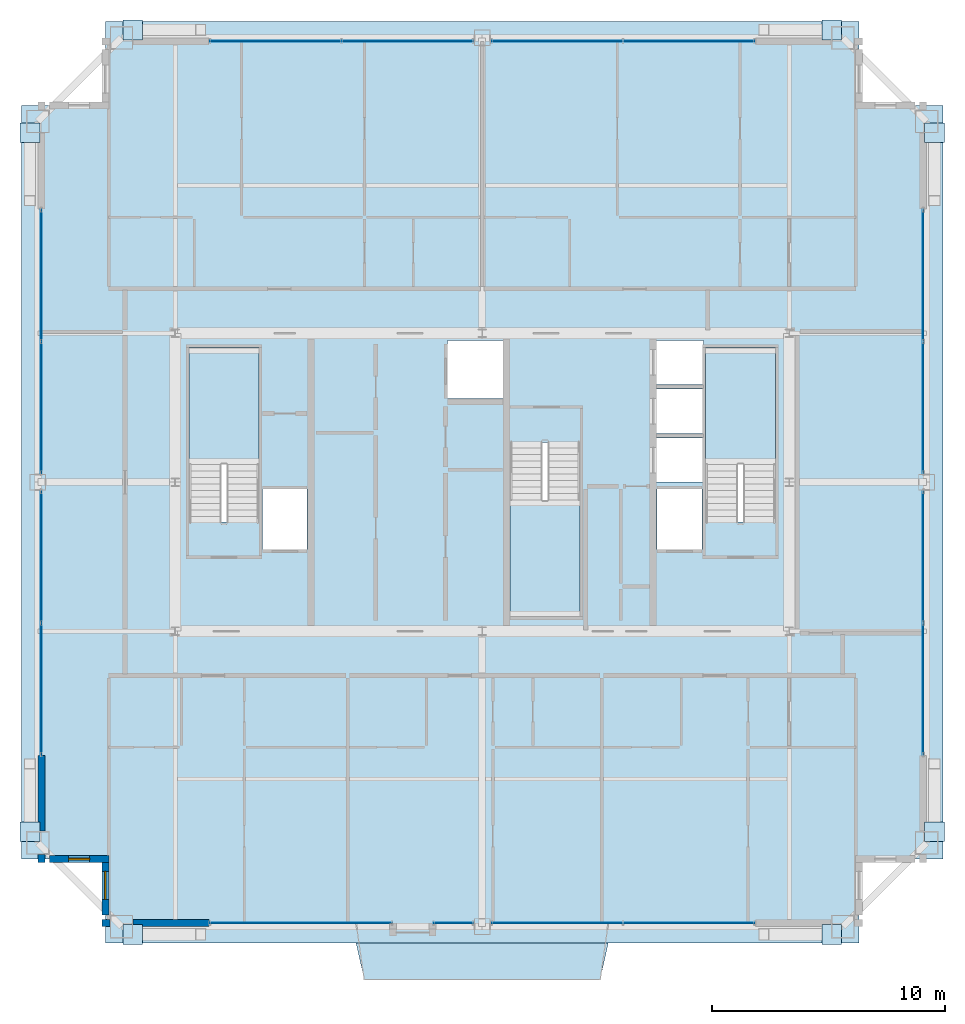
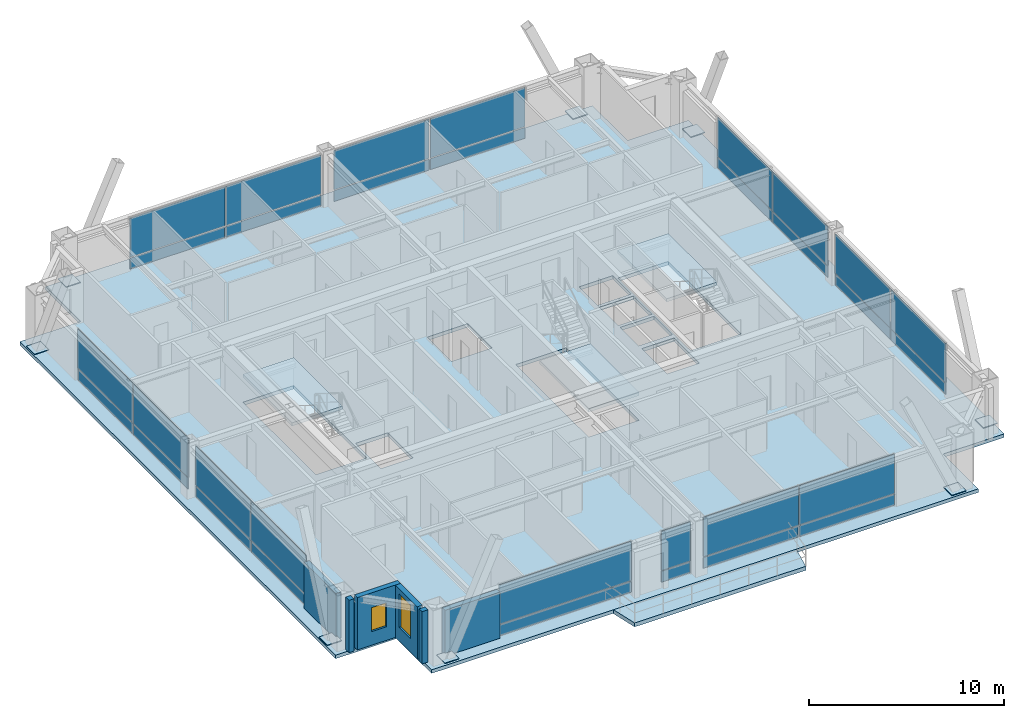
# One storey, part 29 of 35: 40 plates, 6 walls, 5 slabs, 2 windows, 2 openings, 12 elements without a shape of their own.
"""IFC4 building model written with IfcOpenShell, lengths in metres."""

from ifc_helpers import new_model, si_unit, direction, frame, frame_2d, origin, origin_2d, place, context, subcontext, project, spatial, polyline, rectangle, outline, extrude, source, transform, mapped, material, layer, layer_set, type_object, element, fill, aggregate, save


model = new_model("IFC4")

# Units and contexts
model_context = context("Model", 3, precision=1e-05, world=origin(), true_north=direction((0.0, 1.0)))
body_context = subcontext(model_context, "Body", "Model", "MODEL_VIEW")
ifc_project = project(units=[si_unit("LENGTHUNIT", "METRE"), si_unit("AREAUNIT", "SQUARE_METRE"), si_unit("VOLUMEUNIT", "CUBIC_METRE"), si_unit("PLANEANGLEUNIT", "RADIAN"), si_unit("MASSUNIT", "GRAM", prefix="KILO"), si_unit("THERMODYNAMICTEMPERATUREUNIT", "KELVIN"), si_unit("POWERUNIT", "WATT")], contexts=[model_context])

# Site, building, storey
site_placement = place(None, origin())
site = spatial("IfcSite", under=ifc_project, at=site_placement, CompositionType="ELEMENT")
building_placement = place(site_placement, origin())
building = spatial("IfcBuilding", under=site, at=building_placement, Name="Yuzanri Waterfront Tower", CompositionType="ELEMENT")
storey_placement = place(building_placement, frame((0.0, 0.0, 314.699951171875)))
storey = spatial("IfcBuildingStorey", under=building, at=storey_placement, Name="L84", CompositionType="ELEMENT", Elevation=314.699951171875)

# Stair, slab
ifc_material_1 = material(Name="Concrete C40", Category="concrete")
stair_type = type_object("IfcStairType", Name="Concrete C40 Core Dogleg Exit Stair", PredefinedType="HALF_TURN_STAIR", material=ifc_material_1)
stair_1_placement = place(storey_placement, origin())
stair_1 = element("IfcStair", 1, at=stair_1_placement, inside=storey, type_object=stair_type, Name="L84 Smoke-Proof Core Stair ST-01", PredefinedType="HALF_TURN_STAIR")
ifc_material_2 = material(Name="Concrete C40", Category="concrete")
ifc_layer_1 = layer(ifc_material_2, 0.179931640625)
ifc_layer_set_1 = layer_set([ifc_layer_1], Name="Concrete C40")
slab_type_1 = type_object("IfcSlabType", Name="Concrete C40 Stair Half-Landing Slab 180", PredefinedType="LANDING", material=ifc_layer_set_1)
slab_1_placement = place(storey_placement, frame((0.0, 0.0, 1.550048828125)))
slab_1 = element("IfcSlab", 2, at=slab_1_placement, type_object=slab_type_1, Name="ST-01 landing 1", PredefinedType="LANDING", context=body_context, shape_type="SweptSolid", body=[
    extrude(outline(polyline([(27.39990234375, 26.56005859375), (27.39990234375, 31.580078125), (24.39990234375, 31.580078125), (24.39990234375, 26.56005859375), (27.39990234375, 26.56005859375)])), origin(), (0.0, 0.0, 1.0), 0.199951171875),
])
aggregate(stair_1, [slab_1])

stair_2_placement = place(storey_placement, origin())
stair_2 = element("IfcStair", 3, at=stair_2_placement, inside=storey, type_object=stair_type, Name="L84 Smoke-Proof Core Stair ST-02", PredefinedType="HALF_TURN_STAIR")
slab_2_placement = place(storey_placement, frame((0.0, 0.0, 1.550048828125)))
slab_2 = element("IfcSlab", 4, at=slab_2_placement, type_object=slab_type_1, Name="ST-02 landing 1", PredefinedType="LANDING", context=body_context, shape_type="SweptSolid", body=[
    extrude(outline(polyline([(49.60009765625, 26.56005859375), (49.60009765625, 31.580078125), (46.60009765625, 31.580078125), (46.60009765625, 26.56005859375), (49.60009765625, 26.56005859375)])), origin(), (0.0, 0.0, 1.0), 0.199951171875),
])
aggregate(stair_2, [slab_2])

stair_3_placement = place(storey_placement, origin())
stair_3 = element("IfcStair", 5, at=stair_3_placement, inside=storey, type_object=stair_type, Name="L84 Smoke-Proof Core Stair ST-03", PredefinedType="HALF_TURN_STAIR")
slab_3_placement = place(storey_placement, frame((0.0, 0.0, 1.550048828125)))
slab_3 = element("IfcSlab", 6, at=slab_3_placement, type_object=slab_type_1, Name="ST-03 landing 1", PredefinedType="LANDING", context=body_context, shape_type="SweptSolid", body=[
    extrude(outline(polyline([(38.199951171875, 25.0400390625), (38.199951171875, 20.02001953125), (41.199951171875, 20.02001953125), (41.199951171875, 25.0400390625), (38.199951171875, 25.0400390625)])), origin(), (0.0, 0.0, 1.0), 0.199951171875),
])
aggregate(stair_3, [slab_3])

# Slabs
ifc_material_3 = material(Name="Concrete C40", Category="concrete")
ifc_layer_2 = layer(ifc_material_3, 0.25)
ifc_layer_set_2 = layer_set([ifc_layer_2], Name="Concrete C40")
slab_type_2 = type_object("IfcSlabType", Name="Concrete C40 Stepped Gorge Pocket Garden Terrace Slab 250", PredefinedType="FLOOR", material=ifc_layer_set_2)
slab_4_placement = place(storey_placement, frame((0.0, 0.0, -0.25)))
element("IfcSlab", 7, at=slab_4_placement, inside=storey, type_object=slab_type_2, Name="L84 S Cantilevered Engawa Terrace Slab", PredefinedType="FLOOR", context=body_context, shape_type="SweptSolid", body=[
    extrude(outline(polyline([(31.580078125, 6.0), (42.419921875, 6.0), (42.070068359375, 4.430908203125), (31.929931640625, 4.430908203125), (31.580078125, 6.0)])), origin(), (0.0, 0.0, 1.0), 0.25),
])
ifc_material_4 = material(Name="Concrete C40", Category="concrete")
ifc_layer_3 = layer(ifc_material_4, 0.219970703125)
ifc_layer_set_3 = layer_set([ifc_layer_3], Name="Concrete C40")
slab_type_3 = type_object("IfcSlabType", Name="Concrete C40 Tower Typical Structural Floor Slab 220", PredefinedType="FLOOR", material=ifc_layer_set_3)
slab_5_placement = place(storey_placement, frame((0.0, 0.0, -0.219970703125)))
element("IfcSlab", 8, at=slab_5_placement, inside=storey, type_object=slab_type_3, Name="L84 Main Structural Floor Slab", PredefinedType="FLOOR", context=body_context, shape_type="SweptSolid", body=[
    extrude(outline(polyline([(20.800048828125, 6.0), (53.199951171875, 6.0), (53.199951171875, 9.60009765625), (56.800048828125, 9.60009765625), (56.800048828125, 42.0), (53.199951171875, 42.0), (53.199951171875, 45.60009765625), (20.800048828125, 45.60009765625), (20.800048828125, 42.0), (17.199951171875, 42.0), (17.199951171875, 9.60009765625), (20.800048828125, 9.60009765625), (20.800048828125, 6.0)]), holes=[polyline([(27.39990234375, 24.10009765625), (27.39990234375, 31.580078125), (24.39990234375, 31.580078125), (24.39990234375, 24.10009765625), (27.39990234375, 24.10009765625)]), polyline([(49.60009765625, 24.10009765625), (49.60009765625, 31.580078125), (46.60009765625, 31.580078125), (46.60009765625, 24.10009765625), (49.60009765625, 24.10009765625)]), polyline([(38.199951171875, 27.5), (38.199951171875, 20.02001953125), (41.199951171875, 20.02001953125), (41.199951171875, 27.5), (38.199951171875, 27.5)]), polyline([(27.56005859375, 22.89990234375), (29.47998046875, 22.89990234375), (29.47998046875, 25.5), (27.56005859375, 25.5), (27.56005859375, 22.89990234375)]), polyline([(44.52001953125, 22.89990234375), (46.43994140625, 22.89990234375), (46.43994140625, 25.5), (44.52001953125, 25.5), (44.52001953125, 22.89990234375)]), polyline([(35.5, 29.39990234375), (37.89990234375, 29.39990234375), (37.89990234375, 31.89990234375), (35.5, 31.89990234375), (35.5, 29.39990234375)]), polyline([(44.5, 25.800048828125), (46.5, 25.800048828125), (46.5, 27.699951171875), (44.5, 27.699951171875), (44.5, 25.800048828125)]), polyline([(44.5, 27.89990234375), (46.5, 27.89990234375), (46.5, 29.800048828125), (44.5, 29.800048828125), (44.5, 27.89990234375)]), polyline([(44.5, 30.0), (46.5, 30.0), (46.5, 31.89990234375), (44.5, 31.89990234375), (44.5, 30.0)])]), origin(), (0.0, 0.0, 1.0), 0.219970703125),
])

# Plates
ifc_material_5 = material(Name="Steel Q420GJC", Category="steel")
ifc_layer_4 = layer(ifc_material_5, 0.0400390625)
ifc_layer_set_4 = layer_set([ifc_layer_4], Name="Steel Q420GJC")
plate_type_1 = type_object("IfcPlateType", Name="Steel Q420GJC Mega-Brace Gusset and End-Cap Plate 40", PredefinedType="SHEET", material=ifc_layer_set_4)
shared_shape_1 = source(origin(), body_context, "Body", "SweptSolid", [
    extrude(rectangle(XDim=0.85009765625, YDim=0.85009765625, at=origin_2d()), origin(), (0.0, 0.0, 1.0), 0.0400390625),
])
for number, where, z_axis, x_axis, name in (
    (9, (21.97998046875, 6.360107421875, 0.159912109375), (0.0, 0.0, 1.0), (1.0, 0.0, 0.0), "L84 Mega-Brace Foot Cap Plate S-L"),
    (10, (52.02001953125, 6.360107421875, 0.159912109375), (0.0, 0.0, 1.0), (1.0, 0.0, 0.0), "L84 Mega-Brace Foot Cap Plate S-R"),
    (11, (21.97998046875, 45.239990234375, 0.159912109375), (0.0, 0.0, 1.0), (1.0, 0.0, 0.0), "L84 Mega-Brace Foot Cap Plate N-L"),
    (12, (52.02001953125, 45.239990234375, 0.159912109375), (0.0, 0.0, 1.0), (1.0, 0.0, 0.0), "L84 Mega-Brace Foot Cap Plate N-R"),
    (13, (17.56005859375, 10.780029296875, 0.159912109375), (0.0, 0.0, 1.0), (1.0, 0.0, 0.0), "L84 Mega-Brace Foot Cap Plate W-L"),
    (14, (17.56005859375, 40.820068359375, 0.159912109375), (0.0, 0.0, 1.0), (1.0, 0.0, 0.0), "L84 Mega-Brace Foot Cap Plate W-R"),
    (15, (56.43994140625, 10.780029296875, 0.159912109375), (0.0, 0.0, 1.0), (1.0, 0.0, 0.0), "L84 Mega-Brace Foot Cap Plate E-L"),
    (16, (56.43994140625, 40.820068359375, 0.159912109375), (0.0, 0.0, 1.0), (1.0, 0.0, 0.0), "L84 Mega-Brace Foot Cap Plate E-R"),
):
    element("IfcPlate", number, at=place(storey_placement, frame(where, z_axis=z_axis, x_axis=x_axis)), inside=storey, type_object=plate_type_1, Name=name, PredefinedType="SHEET", context=body_context, shape_type="MappedRepresentation", body=[
        mapped(shared_shape_1, transform((0.0, 0.0, 0.0), scale=1.0)),
    ])

# Curtain wall, plates
ifc_material_6 = material(Name="Anodized Architectural Bronze", Category="metal")
ifc_layer_5 = layer(ifc_material_6, 0.159912109375)
ifc_layer_set_5 = layer_set([ifc_layer_5], Name="Anodized Architectural Bronze")
curtain_wall_type = type_object("IfcCurtainWallType", Name="Anodized Bronze High-Rise Penthouse High-Wind Unitized Curtain Wall 6900", PredefinedType="NOTDEFINED", material=ifc_layer_set_5)
curtain_wall_1_placement = place(storey_placement, origin())
curtain_wall_1 = element("IfcCurtainWall", 17, at=curtain_wall_1_placement, inside=storey, type_object=curtain_wall_type, Name="L84 Curtain Wall CW-L84-SR", PredefinedType="NOTDEFINED")
ifc_material_7 = material(Name="Anodized Architectural Bronze", Category="metal")
ifc_layer_6 = layer(ifc_material_7, 0.028076171875)
ifc_layer_set_6 = layer_set([ifc_layer_6], Name="Anodized Architectural Bronze")
plate_type_2 = type_object("IfcPlateType", Name="Bronze Insulated Spandrel Shadow-Box Panel 28", PredefinedType="CURTAIN_PANEL", material=ifc_layer_set_6)
shared_shape_2 = source(origin(), body_context, "Body", "SweptSolid", [
    extrude(rectangle(XDim=5.6201171875, YDim=0.028076171875, at=origin_2d()), origin(), (0.0, 0.0, 1.0), 0.674072265625),
])
plate_1_placement = place(storey_placement, frame((40.199951171875, 6.85009765625, 0.0498046875), z_axis=(0.0, 0.0, 1.0), x_axis=(1.0, 0.0, 0.0)))
plate_1 = element("IfcPlate", 18, at=plate_1_placement, type_object=plate_type_2, Name="CW-L84-SR Spandrel Panel 01", PredefinedType="CURTAIN_PANEL", context=body_context, shape_type="MappedRepresentation", body=[
    mapped(shared_shape_2, transform((0.0, 0.0, 0.0), scale=1.0)),
])
plate_2_placement = place(storey_placement, frame((45.89990234375, 6.85009765625, 0.0498046875), z_axis=(0.0, 0.0, 1.0), x_axis=(1.0, 0.0, 0.0)))
plate_2 = element("IfcPlate", 19, at=plate_2_placement, type_object=plate_type_2, Name="CW-L84-SR Spandrel Panel 02", PredefinedType="CURTAIN_PANEL", context=body_context, shape_type="MappedRepresentation", body=[
    mapped(shared_shape_2, transform((0.0, 0.0, 0.0), scale=1.0)),
])

curtain_wall_2_placement = place(storey_placement, origin())
curtain_wall_2 = element("IfcCurtainWall", 20, at=curtain_wall_2_placement, inside=storey, type_object=curtain_wall_type, Name="L84 Curtain Wall CW-L84-NL", PredefinedType="NOTDEFINED")
plate_3_placement = place(storey_placement, frame((28.10009765625, 44.75, 0.0498046875), z_axis=(0.0, 0.0, 1.0), x_axis=(1.0, 0.0, 0.0)))
plate_3 = element("IfcPlate", 21, at=plate_3_placement, type_object=plate_type_2, Name="CW-L84-NL Spandrel Panel 01", PredefinedType="CURTAIN_PANEL", context=body_context, shape_type="MappedRepresentation", body=[
    mapped(shared_shape_2, transform((0.0, 0.0, 0.0), scale=1.0)),
])
plate_4_placement = place(storey_placement, frame((33.800048828125, 44.75, 0.0498046875), z_axis=(0.0, 0.0, 1.0), x_axis=(1.0, 0.0, 0.0)))
plate_4 = element("IfcPlate", 22, at=plate_4_placement, type_object=plate_type_2, Name="CW-L84-NL Spandrel Panel 02", PredefinedType="CURTAIN_PANEL", context=body_context, shape_type="MappedRepresentation", body=[
    mapped(shared_shape_2, transform((0.0, 0.0, 0.0), scale=1.0)),
])

curtain_wall_3_placement = place(storey_placement, origin())
curtain_wall_3 = element("IfcCurtainWall", 23, at=curtain_wall_3_placement, inside=storey, type_object=curtain_wall_type, Name="L84 Curtain Wall CW-L84-NR", PredefinedType="NOTDEFINED")
plate_5_placement = place(storey_placement, frame((40.199951171875, 44.75, 0.0498046875), z_axis=(0.0, 0.0, 1.0), x_axis=(1.0, 0.0, 0.0)))
plate_5 = element("IfcPlate", 24, at=plate_5_placement, type_object=plate_type_2, Name="CW-L84-NR Spandrel Panel 01", PredefinedType="CURTAIN_PANEL", context=body_context, shape_type="MappedRepresentation", body=[
    mapped(shared_shape_2, transform((0.0, 0.0, 0.0), scale=1.0)),
])
plate_6_placement = place(storey_placement, frame((45.89990234375, 44.75, 0.0498046875), z_axis=(0.0, 0.0, 1.0), x_axis=(1.0, 0.0, 0.0)))
plate_6 = element("IfcPlate", 25, at=plate_6_placement, type_object=plate_type_2, Name="CW-L84-NR Spandrel Panel 02", PredefinedType="CURTAIN_PANEL", context=body_context, shape_type="MappedRepresentation", body=[
    mapped(shared_shape_2, transform((0.0, 0.0, 0.0), scale=1.0)),
])

curtain_wall_4_placement = place(storey_placement, origin())
curtain_wall_4 = element("IfcCurtainWall", 26, at=curtain_wall_4_placement, inside=storey, type_object=curtain_wall_type, Name="L84 Curtain Wall CW-L84-WL", PredefinedType="NOTDEFINED")
plate_7_placement = place(storey_placement, frame((18.050048828125, 16.89990234375, 0.0498046875), z_axis=(0.0, 0.0, 1.0), x_axis=(0.0, 1.0, 0.0)))
plate_7 = element("IfcPlate", 27, at=plate_7_placement, type_object=plate_type_2, Name="CW-L84-WL Spandrel Panel 01", PredefinedType="CURTAIN_PANEL", context=body_context, shape_type="MappedRepresentation", body=[
    mapped(shared_shape_2, transform((0.0, 0.0, 0.0), scale=1.0)),
])
plate_8_placement = place(storey_placement, frame((18.050048828125, 22.60009765625, 0.0498046875), z_axis=(0.0, 0.0, 1.0), x_axis=(0.0, 1.0, 0.0)))
plate_8 = element("IfcPlate", 28, at=plate_8_placement, type_object=plate_type_2, Name="CW-L84-WL Spandrel Panel 02", PredefinedType="CURTAIN_PANEL", context=body_context, shape_type="MappedRepresentation", body=[
    mapped(shared_shape_2, transform((0.0, 0.0, 0.0), scale=1.0)),
])

curtain_wall_5_placement = place(storey_placement, origin())
curtain_wall_5 = element("IfcCurtainWall", 29, at=curtain_wall_5_placement, inside=storey, type_object=curtain_wall_type, Name="L84 Curtain Wall CW-L84-WR", PredefinedType="NOTDEFINED")
plate_9_placement = place(storey_placement, frame((18.050048828125, 29.0, 0.0498046875), z_axis=(0.0, 0.0, 1.0), x_axis=(0.0, 1.0, 0.0)))
plate_9 = element("IfcPlate", 30, at=plate_9_placement, type_object=plate_type_2, Name="CW-L84-WR Spandrel Panel 01", PredefinedType="CURTAIN_PANEL", context=body_context, shape_type="MappedRepresentation", body=[
    mapped(shared_shape_2, transform((0.0, 0.0, 0.0), scale=1.0)),
])
plate_10_placement = place(storey_placement, frame((18.050048828125, 34.699951171875, 0.0498046875), z_axis=(0.0, 0.0, 1.0), x_axis=(0.0, 1.0, 0.0)))
plate_10 = element("IfcPlate", 31, at=plate_10_placement, type_object=plate_type_2, Name="CW-L84-WR Spandrel Panel 02", PredefinedType="CURTAIN_PANEL", context=body_context, shape_type="MappedRepresentation", body=[
    mapped(shared_shape_2, transform((0.0, 0.0, 0.0), scale=1.0)),
])

curtain_wall_6_placement = place(storey_placement, origin())
curtain_wall_6 = element("IfcCurtainWall", 32, at=curtain_wall_6_placement, inside=storey, type_object=curtain_wall_type, Name="L84 Curtain Wall CW-L84-EL", PredefinedType="NOTDEFINED")
plate_11_placement = place(storey_placement, frame((55.949951171875, 16.89990234375, 0.0498046875), z_axis=(0.0, 0.0, 1.0), x_axis=(0.0, 1.0, 0.0)))
plate_11 = element("IfcPlate", 33, at=plate_11_placement, type_object=plate_type_2, Name="CW-L84-EL Spandrel Panel 01", PredefinedType="CURTAIN_PANEL", context=body_context, shape_type="MappedRepresentation", body=[
    mapped(shared_shape_2, transform((0.0, 0.0, 0.0), scale=1.0)),
])
plate_12_placement = place(storey_placement, frame((55.949951171875, 22.60009765625, 0.0498046875), z_axis=(0.0, 0.0, 1.0), x_axis=(0.0, 1.0, 0.0)))
plate_12 = element("IfcPlate", 34, at=plate_12_placement, type_object=plate_type_2, Name="CW-L84-EL Spandrel Panel 02", PredefinedType="CURTAIN_PANEL", context=body_context, shape_type="MappedRepresentation", body=[
    mapped(shared_shape_2, transform((0.0, 0.0, 0.0), scale=1.0)),
])

curtain_wall_7_placement = place(storey_placement, origin())
curtain_wall_7 = element("IfcCurtainWall", 35, at=curtain_wall_7_placement, inside=storey, type_object=curtain_wall_type, Name="L84 Curtain Wall CW-L84-ER", PredefinedType="NOTDEFINED")
plate_13_placement = place(storey_placement, frame((55.949951171875, 29.0, 0.0498046875), z_axis=(0.0, 0.0, 1.0), x_axis=(0.0, 1.0, 0.0)))
plate_13 = element("IfcPlate", 36, at=plate_13_placement, type_object=plate_type_2, Name="CW-L84-ER Spandrel Panel 01", PredefinedType="CURTAIN_PANEL", context=body_context, shape_type="MappedRepresentation", body=[
    mapped(shared_shape_2, transform((0.0, 0.0, 0.0), scale=1.0)),
])
plate_14_placement = place(storey_placement, frame((55.949951171875, 34.699951171875, 0.0498046875), z_axis=(0.0, 0.0, 1.0), x_axis=(0.0, 1.0, 0.0)))
plate_14 = element("IfcPlate", 37, at=plate_14_placement, type_object=plate_type_2, Name="CW-L84-ER Spandrel Panel 02", PredefinedType="CURTAIN_PANEL", context=body_context, shape_type="MappedRepresentation", body=[
    mapped(shared_shape_2, transform((0.0, 0.0, 0.0), scale=1.0)),
])

# Plate
ifc_material_8 = material(Name="Triple Low-E Laminated Insulated Glass", Category="glass")
ifc_layer_7 = layer(ifc_material_8, 0.0439453125)
ifc_layer_set_7 = layer_set([ifc_layer_7], Name="Triple Low-E Laminated Insulated Glass")
plate_type_3 = type_object("IfcPlateType", Name="Triple Glazed Acoustic Vision Glass Panel 44", PredefinedType="CURTAIN_PANEL", material=ifc_layer_set_7)
shared_shape_3 = source(origin(), body_context, "Body", "SweptSolid", [
    extrude(rectangle(XDim=5.6201171875, YDim=0.0439453125, at=origin_2d()), origin(), (0.0, 0.0, 1.0), 2.446044921875),
])
plate_15_placement = place(storey_placement, frame((40.199951171875, 6.85009765625, 0.7841796875), z_axis=(0.0, 0.0, 1.0), x_axis=(1.0, 0.0, 0.0)))
plate_15 = element("IfcPlate", 38, at=plate_15_placement, type_object=plate_type_3, Name="CW-L84-SR Vision Glass Panel 01", PredefinedType="CURTAIN_PANEL", context=body_context, shape_type="MappedRepresentation", body=[
    mapped(shared_shape_3, transform((0.0, 0.0, 0.0), scale=1.0)),
])

plate_16_placement = place(storey_placement, frame((45.89990234375, 6.85009765625, 0.7841796875), z_axis=(0.0, 0.0, 1.0), x_axis=(1.0, 0.0, 0.0)))
plate_16 = element("IfcPlate", 39, at=plate_16_placement, type_object=plate_type_3, Name="CW-L84-SR Vision Glass Panel 02", PredefinedType="CURTAIN_PANEL", context=body_context, shape_type="MappedRepresentation", body=[
    mapped(shared_shape_3, transform((0.0, 0.0, 0.0), scale=1.0)),
])

aggregate(curtain_wall_1, [plate_1, plate_15, plate_2, plate_16])

plate_17_placement = place(storey_placement, frame((28.10009765625, 44.75, 0.7841796875), z_axis=(0.0, 0.0, 1.0), x_axis=(1.0, 0.0, 0.0)))
plate_17 = element("IfcPlate", 40, at=plate_17_placement, type_object=plate_type_3, Name="CW-L84-NL Vision Glass Panel 01", PredefinedType="CURTAIN_PANEL", context=body_context, shape_type="MappedRepresentation", body=[
    mapped(shared_shape_3, transform((0.0, 0.0, 0.0), scale=1.0)),
])

plate_18_placement = place(storey_placement, frame((33.800048828125, 44.75, 0.7841796875), z_axis=(0.0, 0.0, 1.0), x_axis=(1.0, 0.0, 0.0)))
plate_18 = element("IfcPlate", 41, at=plate_18_placement, type_object=plate_type_3, Name="CW-L84-NL Vision Glass Panel 02", PredefinedType="CURTAIN_PANEL", context=body_context, shape_type="MappedRepresentation", body=[
    mapped(shared_shape_3, transform((0.0, 0.0, 0.0), scale=1.0)),
])

aggregate(curtain_wall_2, [plate_3, plate_17, plate_4, plate_18])

plate_19_placement = place(storey_placement, frame((40.199951171875, 44.75, 0.7841796875), z_axis=(0.0, 0.0, 1.0), x_axis=(1.0, 0.0, 0.0)))
plate_19 = element("IfcPlate", 42, at=plate_19_placement, type_object=plate_type_3, Name="CW-L84-NR Vision Glass Panel 01", PredefinedType="CURTAIN_PANEL", context=body_context, shape_type="MappedRepresentation", body=[
    mapped(shared_shape_3, transform((0.0, 0.0, 0.0), scale=1.0)),
])

plate_20_placement = place(storey_placement, frame((45.89990234375, 44.75, 0.7841796875), z_axis=(0.0, 0.0, 1.0), x_axis=(1.0, 0.0, 0.0)))
plate_20 = element("IfcPlate", 43, at=plate_20_placement, type_object=plate_type_3, Name="CW-L84-NR Vision Glass Panel 02", PredefinedType="CURTAIN_PANEL", context=body_context, shape_type="MappedRepresentation", body=[
    mapped(shared_shape_3, transform((0.0, 0.0, 0.0), scale=1.0)),
])

aggregate(curtain_wall_3, [plate_5, plate_19, plate_6, plate_20])

plate_21_placement = place(storey_placement, frame((18.050048828125, 16.89990234375, 0.7841796875), z_axis=(0.0, 0.0, 1.0), x_axis=(0.0, 1.0, 0.0)))
plate_21 = element("IfcPlate", 44, at=plate_21_placement, type_object=plate_type_3, Name="CW-L84-WL Vision Glass Panel 01", PredefinedType="CURTAIN_PANEL", context=body_context, shape_type="MappedRepresentation", body=[
    mapped(shared_shape_3, transform((0.0, 0.0, 0.0), scale=1.0)),
])

plate_22_placement = place(storey_placement, frame((18.050048828125, 22.60009765625, 0.7841796875), z_axis=(0.0, 0.0, 1.0), x_axis=(0.0, 1.0, 0.0)))
plate_22 = element("IfcPlate", 45, at=plate_22_placement, type_object=plate_type_3, Name="CW-L84-WL Vision Glass Panel 02", PredefinedType="CURTAIN_PANEL", context=body_context, shape_type="MappedRepresentation", body=[
    mapped(shared_shape_3, transform((0.0, 0.0, 0.0), scale=1.0)),
])

aggregate(curtain_wall_4, [plate_7, plate_21, plate_8, plate_22])

plate_23_placement = place(storey_placement, frame((18.050048828125, 29.0, 0.7841796875), z_axis=(0.0, 0.0, 1.0), x_axis=(0.0, 1.0, 0.0)))
plate_23 = element("IfcPlate", 46, at=plate_23_placement, type_object=plate_type_3, Name="CW-L84-WR Vision Glass Panel 01", PredefinedType="CURTAIN_PANEL", context=body_context, shape_type="MappedRepresentation", body=[
    mapped(shared_shape_3, transform((0.0, 0.0, 0.0), scale=1.0)),
])

plate_24_placement = place(storey_placement, frame((18.050048828125, 34.699951171875, 0.7841796875), z_axis=(0.0, 0.0, 1.0), x_axis=(0.0, 1.0, 0.0)))
plate_24 = element("IfcPlate", 47, at=plate_24_placement, type_object=plate_type_3, Name="CW-L84-WR Vision Glass Panel 02", PredefinedType="CURTAIN_PANEL", context=body_context, shape_type="MappedRepresentation", body=[
    mapped(shared_shape_3, transform((0.0, 0.0, 0.0), scale=1.0)),
])

aggregate(curtain_wall_5, [plate_9, plate_23, plate_10, plate_24])

plate_25_placement = place(storey_placement, frame((55.949951171875, 16.89990234375, 0.7841796875), z_axis=(0.0, 0.0, 1.0), x_axis=(0.0, 1.0, 0.0)))
plate_25 = element("IfcPlate", 48, at=plate_25_placement, type_object=plate_type_3, Name="CW-L84-EL Vision Glass Panel 01", PredefinedType="CURTAIN_PANEL", context=body_context, shape_type="MappedRepresentation", body=[
    mapped(shared_shape_3, transform((0.0, 0.0, 0.0), scale=1.0)),
])

plate_26_placement = place(storey_placement, frame((55.949951171875, 22.60009765625, 0.7841796875), z_axis=(0.0, 0.0, 1.0), x_axis=(0.0, 1.0, 0.0)))
plate_26 = element("IfcPlate", 49, at=plate_26_placement, type_object=plate_type_3, Name="CW-L84-EL Vision Glass Panel 02", PredefinedType="CURTAIN_PANEL", context=body_context, shape_type="MappedRepresentation", body=[
    mapped(shared_shape_3, transform((0.0, 0.0, 0.0), scale=1.0)),
])

aggregate(curtain_wall_6, [plate_11, plate_25, plate_12, plate_26])

plate_27_placement = place(storey_placement, frame((55.949951171875, 29.0, 0.7841796875), z_axis=(0.0, 0.0, 1.0), x_axis=(0.0, 1.0, 0.0)))
plate_27 = element("IfcPlate", 50, at=plate_27_placement, type_object=plate_type_3, Name="CW-L84-ER Vision Glass Panel 01", PredefinedType="CURTAIN_PANEL", context=body_context, shape_type="MappedRepresentation", body=[
    mapped(shared_shape_3, transform((0.0, 0.0, 0.0), scale=1.0)),
])

plate_28_placement = place(storey_placement, frame((55.949951171875, 34.699951171875, 0.7841796875), z_axis=(0.0, 0.0, 1.0), x_axis=(0.0, 1.0, 0.0)))
plate_28 = element("IfcPlate", 51, at=plate_28_placement, type_object=plate_type_3, Name="CW-L84-ER Vision Glass Panel 02", PredefinedType="CURTAIN_PANEL", context=body_context, shape_type="MappedRepresentation", body=[
    mapped(shared_shape_3, transform((0.0, 0.0, 0.0), scale=1.0)),
])

aggregate(curtain_wall_7, [plate_13, plate_27, plate_14, plate_28])

# Curtain wall, plates
curtain_wall_8_placement = place(storey_placement, origin())
curtain_wall_8 = element("IfcCurtainWall", 52, at=curtain_wall_8_placement, inside=storey, type_object=curtain_wall_type, Name="L84 Curtain Wall CW-L84-SL1", PredefinedType="NOTDEFINED")
shared_shape_4 = source(origin(), body_context, "Body", "SweptSolid", [
    extrude(rectangle(XDim=7.8349609375, YDim=0.028076171875, at=origin_2d()), origin(), (0.0, 0.0, 1.0), 0.674072265625),
])
plate_29_placement = place(storey_placement, frame((29.20751953125, 6.85009765625, 0.0498046875), z_axis=(0.0, 0.0, 1.0), x_axis=(1.0, 0.0, 0.0)))
plate_29 = element("IfcPlate", 53, at=plate_29_placement, type_object=plate_type_2, Name="CW-L84-SL1 Spandrel Panel 01", PredefinedType="CURTAIN_PANEL", context=body_context, shape_type="MappedRepresentation", body=[
    mapped(shared_shape_4, transform((0.0, 0.0, 0.0), scale=1.0)),
])
shared_shape_5 = source(origin(), body_context, "Body", "SweptSolid", [
    extrude(rectangle(XDim=7.8349609375, YDim=0.0439453125, at=origin_2d()), origin(), (0.0, 0.0, 1.0), 2.446044921875),
])
plate_30_placement = place(storey_placement, frame((29.20751953125, 6.85009765625, 0.7841796875), z_axis=(0.0, 0.0, 1.0), x_axis=(1.0, 0.0, 0.0)))
plate_30 = element("IfcPlate", 54, at=plate_30_placement, type_object=plate_type_3, Name="CW-L84-SL1 Vision Glass Panel 01", PredefinedType="CURTAIN_PANEL", context=body_context, shape_type="MappedRepresentation", body=[
    mapped(shared_shape_5, transform((0.0, 0.0, 0.0), scale=1.0)),
])
aggregate(curtain_wall_8, [plate_29, plate_30])

curtain_wall_9_placement = place(storey_placement, origin())
curtain_wall_9 = element("IfcCurtainWall", 55, at=curtain_wall_9_placement, inside=storey, type_object=curtain_wall_type, Name="L84 Curtain Wall CW-L84-SL2", PredefinedType="NOTDEFINED")
shared_shape_6 = source(origin(), body_context, "Body", "SweptSolid", [
    extrude(rectangle(XDim=1.705078125, YDim=0.028076171875, at=origin_2d()), origin(), (0.0, 0.0, 1.0), 0.674072265625),
])
plate_31_placement = place(storey_placement, frame((35.757568359375, 6.85009765625, 0.0498046875), z_axis=(0.0, 0.0, 1.0), x_axis=(1.0, 0.0, 0.0)))
plate_31 = element("IfcPlate", 56, at=plate_31_placement, type_object=plate_type_2, Name="CW-L84-SL2 Spandrel Panel 01", PredefinedType="CURTAIN_PANEL", context=body_context, shape_type="MappedRepresentation", body=[
    mapped(shared_shape_6, transform((0.0, 0.0, 0.0), scale=1.0)),
])
shared_shape_7 = source(origin(), body_context, "Body", "SweptSolid", [
    extrude(rectangle(XDim=1.705078125, YDim=0.0439453125, at=origin_2d()), origin(), (0.0, 0.0, 1.0), 2.446044921875),
])
plate_32_placement = place(storey_placement, frame((35.757568359375, 6.85009765625, 0.7841796875), z_axis=(0.0, 0.0, 1.0), x_axis=(1.0, 0.0, 0.0)))
plate_32 = element("IfcPlate", 57, at=plate_32_placement, type_object=plate_type_3, Name="CW-L84-SL2 Vision Glass Panel 01", PredefinedType="CURTAIN_PANEL", context=body_context, shape_type="MappedRepresentation", body=[
    mapped(shared_shape_7, transform((0.0, 0.0, 0.0), scale=1.0)),
])
aggregate(curtain_wall_9, [plate_31, plate_32])

# Wall, opening, window
ifc_material_9 = material(Name="Honed Chongqing Dark Basalt Stone", Category="masonry")
ifc_layer_8 = layer(ifc_material_9, 0.300048828125)
ifc_layer_set_8 = layer_set([ifc_layer_8], Name="Honed Chongqing Dark Basalt Stone")
wall_type = type_object("IfcWallType", Name="Bronze Rainscreen Insulated Spandrel Portal Wall 300", PredefinedType="SOLIDWALL", material=ifc_layer_set_8)
wall_1_placement = place(storey_placement, frame((18.39990234375, 9.60009765625, 0.0), z_axis=(0.0, 0.0, 1.0), x_axis=(1.0, 0.0, 0.0)))
wall_1 = element("IfcWall", 58, at=wall_1_placement, inside=storey, type_object=wall_type, Name="L84 Notched Corner Masonry Wall SW-X", PredefinedType="SOLIDWALL", context=body_context, shape_type="SweptSolid", body=[
    extrude(rectangle(XDim=2.550048828125, YDim=0.300048828125, at=frame_2d((1.27490234375, 0.0))), origin(), (0.0, 0.0, 1.0), 3.280029296875),
])
opening_1_placement = place(wall_1_placement, frame((0.824951171875, 0.0, 0.85009765625)))
opening_1 = element("IfcOpeningElement", 59, at=opening_1_placement, cuts=wall_1, Name="Opening WN-05", PredefinedType="OPENING", context=body_context, shape_type="SweptSolid", body=[
    extrude(rectangle(XDim=0.89990234375, YDim=1.5, at=frame_2d((0.449951171875, 0.75))), frame((0.0, 0.1650390625, 0.0), z_axis=(0.0, -1.0, 0.0), x_axis=(1.0, 0.0, 0.0)), (0.0, 0.0, 1.0), 0.329833984375),
])
ifc_material_10 = material(Name="Double-Silver Low-E Insulated Glass", Category="glass")
window_type_1 = type_object("IfcWindowType", Name="Anodized Bronze Service and Stairwell Smoke-Vent Window 900x1500", PartitioningType="SINGLE_PANEL", PredefinedType="WINDOW", material=ifc_material_10)
shared_shape_8 = source(origin(), body_context, "Body", "SweptSolid", [
    extrude(rectangle(XDim=0.89990234375, YDim=1.5, at=frame_2d((0.449951171875, 0.75))), frame((0.0, 0.030029296875, 0.0), z_axis=(0.0, -1.0, 0.0), x_axis=(1.0, 0.0, 0.0)), (0.0, 0.0, 1.0), 0.06005859375),
])
window_1_placement = place(opening_1_placement, origin())
window_1 = element("IfcWindow", 60, at=window_1_placement, inside=storey, type_object=window_type_1, Name="L84 Notched Corner Window SW-X", OverallHeight=1.5, OverallWidth=0.89990234375, PartitioningType="SINGLE_PANEL", PredefinedType="WINDOW", context=body_context, shape_type="MappedRepresentation", body=[
    mapped(shared_shape_8, transform((0.0, 0.0, 0.0), scale=1.0)),
])
fill(opening_1, window_1)

wall_2_placement = place(storey_placement, frame((20.800048828125, 9.75, 0.0), z_axis=(0.0, 0.0, 1.0), x_axis=(0.0, -1.0, 0.0)))
wall_2 = element("IfcWall", 61, at=wall_2_placement, inside=storey, type_object=wall_type, Name="L84 Notched Corner Masonry Wall SW-Y", PredefinedType="SOLIDWALL", context=body_context, shape_type="SweptSolid", body=[
    extrude(rectangle(XDim=2.550048828125, YDim=0.300048828125, at=frame_2d((1.27490234375, 0.0))), origin(), (0.0, 0.0, 1.0), 3.280029296875),
])
opening_2_placement = place(wall_2_placement, frame((0.675048828125, 0.0, 0.85009765625)))
opening_2 = element("IfcOpeningElement", 62, at=opening_2_placement, cuts=wall_2, Name="Opening WN-02", PredefinedType="OPENING", context=body_context, shape_type="SweptSolid", body=[
    extrude(rectangle(XDim=1.199951171875, YDim=2.10009765625, at=frame_2d((0.60009765625, 1.050048828125))), frame((0.0, 0.1650390625, 0.0), z_axis=(0.0, -1.0, 0.0), x_axis=(1.0, 0.0, 0.0)), (0.0, 0.0, 1.0), 0.329833984375),
])
ifc_material_11 = material(Name="Double-Silver Low-E Insulated Glass", Category="glass")
window_type_2 = type_object("IfcWindowType", Name="Anodized Bronze Notched Corner Deep-Set Slot Window 1200x2100", PartitioningType="SINGLE_PANEL", PredefinedType="WINDOW", material=ifc_material_11)
shared_shape_9 = source(origin(), body_context, "Body", "SweptSolid", [
    extrude(rectangle(XDim=1.199951171875, YDim=2.10009765625, at=frame_2d((0.60009765625, 1.050048828125))), frame((0.0, 0.030029296875, 0.0), z_axis=(0.0, -1.0, 0.0), x_axis=(1.0, 0.0, 0.0)), (0.0, 0.0, 1.0), 0.06005859375),
])
window_2_placement = place(opening_2_placement, origin())
window_2 = element("IfcWindow", 63, at=window_2_placement, inside=storey, type_object=window_type_2, Name="L84 Notched Corner Window SW-Y", OverallHeight=2.10009765625, OverallWidth=1.199951171875, PartitioningType="SINGLE_PANEL", PredefinedType="WINDOW", context=body_context, shape_type="MappedRepresentation", body=[
    mapped(shared_shape_9, transform((0.0, 0.0, 0.0), scale=1.0)),
])
fill(opening_2, window_2)

# Walls
shared_shape_10 = source(origin(), body_context, "Body", "SweptSolid", [
    extrude(rectangle(XDim=3.25, YDim=0.300048828125, at=frame_2d((1.625, 0.0))), origin(), (0.0, 0.0, 1.0), 2.885009765625),
])
for number, where, z_axis, x_axis, name in (
    (64, (22.0, 6.85009765625, 0.0), (0.0, 0.0, 1.0), (1.0, 0.0, 0.0), "L84 S Left Braced Masonry Shoulder"),
    (65, (18.050048828125, 10.800048828125, 0.0), (0.0, 0.0, 1.0), (0.0, 1.0, 0.0), "L84 W Left Braced Masonry Shoulder"),
):
    element("IfcWall", number, at=place(storey_placement, frame(where, z_axis=z_axis, x_axis=x_axis)), inside=storey, type_object=wall_type, Name=name, PredefinedType="SOLIDWALL", context=body_context, shape_type="MappedRepresentation", body=[
        mapped(shared_shape_10, transform((0.0, 0.0, 0.0), scale=1.0)),
    ])
shared_shape_11 = source(origin(), body_context, "Body", "SweptSolid", [
    extrude(rectangle(XDim=0.35009765625, YDim=0.300048828125, at=frame_2d((0.175048828125, 0.0))), origin(), (0.0, 0.0, 1.0), 3.280029296875),
])
for number, where, z_axis, x_axis, name in (
    (66, (20.64990234375, 6.85009765625, 0.0), (0.0, 0.0, 1.0), (1.0, 0.0, 0.0), "L84 Corner Column Shoulder Return CSW"),
    (67, (18.050048828125, 9.449951171875, 0.0), (0.0, 0.0, 1.0), (0.0, 1.0, 0.0), "L84 Corner Column Shoulder Return CWS"),
):
    element("IfcWall", number, at=place(storey_placement, frame(where, z_axis=z_axis, x_axis=x_axis)), inside=storey, type_object=wall_type, Name=name, PredefinedType="SOLIDWALL", context=body_context, shape_type="MappedRepresentation", body=[
        mapped(shared_shape_11, transform((0.0, 0.0, 0.0), scale=1.0)),
    ])

save(model, "model.ifc")
